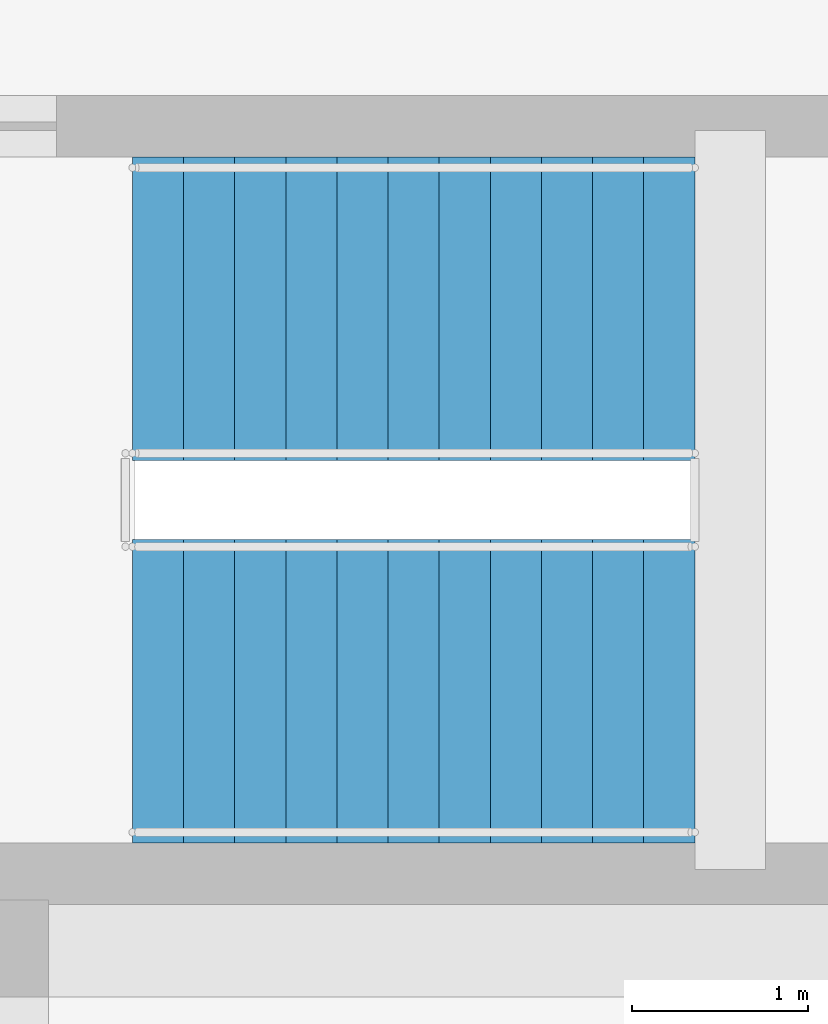
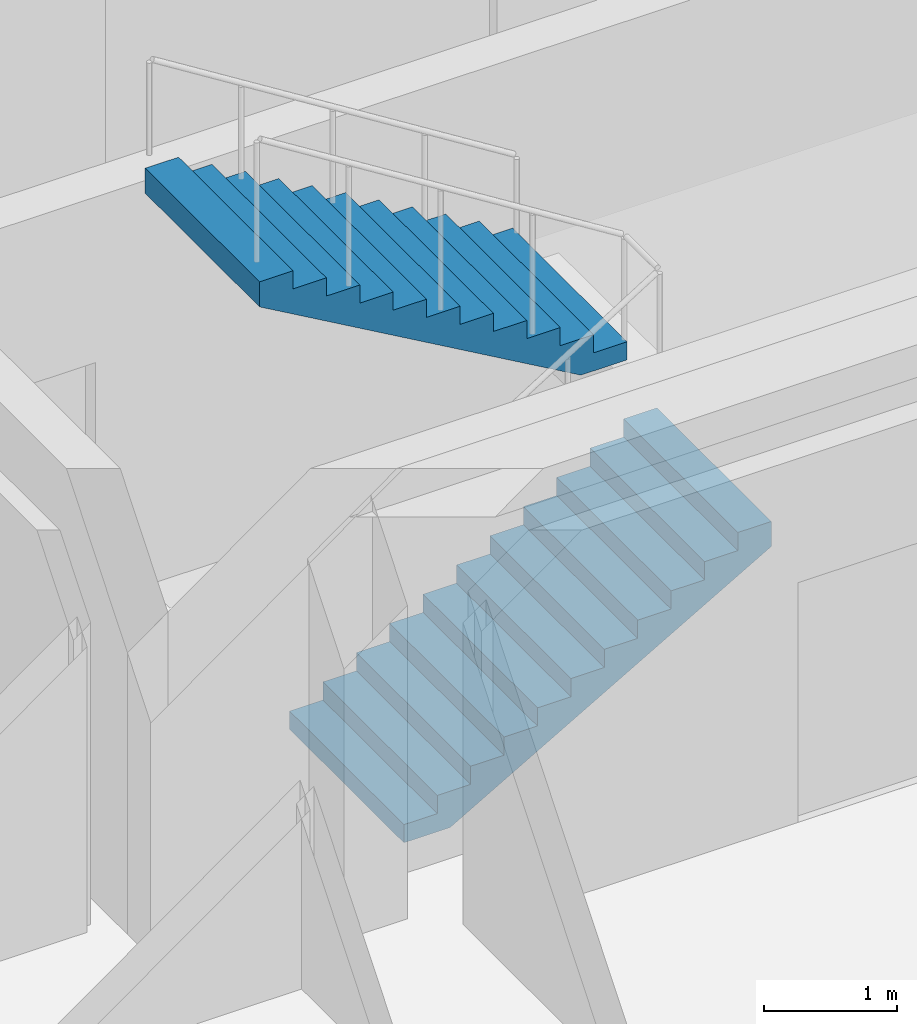
# One storey, part 21 of 22: 2 stair flights, 1 element without a shape of its own.
"""IFC4 building model written with IfcOpenShell, lengths in metres."""

from ifc_helpers import new_model, si_unit, direction, frame, origin, place, context, subcontext, project, spatial, polyline, outline, extrude, material, layer, layer_set, type_object, element, aggregate, save


model = new_model("IFC4")

# Units and contexts
model_context = context("Model", 3, precision=1e-05, world=origin(), true_north=direction((0.0, 1.0)))
body_context = subcontext(model_context, "Body", "Model", "MODEL_VIEW")
ifc_project = project(units=[si_unit("LENGTHUNIT", "METRE"), si_unit("AREAUNIT", "SQUARE_METRE"), si_unit("VOLUMEUNIT", "CUBIC_METRE"), si_unit("PLANEANGLEUNIT", "RADIAN"), si_unit("MASSUNIT", "GRAM", prefix="KILO")], contexts=[model_context])

# Site, building, storey
site_placement = place(None, origin())
site = spatial("IfcSite", under=ifc_project, at=site_placement, CompositionType="ELEMENT")
building_placement = place(site_placement, origin())
building = spatial("IfcBuilding", under=site, at=building_placement, Name="Almacenes y Pasaje Nevantli", CompositionType="ELEMENT")
storey_placement = place(building_placement, frame((0.0, 0.0, 58.699951171875)))
storey = spatial("IfcBuildingStorey", under=building, at=storey_placement, Name="L14", CompositionType="ELEMENT", Elevation=58.699951171875)

# Stair, stair flights
ifc_material_1 = material(Name="Concrete C35/45", Category="concrete")
stair_type = type_object("IfcStairType", Name="STR-CORE-1720", PredefinedType="HALF_TURN_STAIR", material=ifc_material_1)
stair_placement = place(storey_placement, origin())
stair = element("IfcStair", 1, at=stair_placement, inside=storey, type_object=stair_type, Name="L14 Staircase ST-02", PredefinedType="HALF_TURN_STAIR")
ifc_material_2 = material(Name="Concrete C35/45", Category="concrete")
ifc_layer = layer(ifc_material_2, 0.199951171875)
ifc_layer_set = layer_set([ifc_layer], Name="Concrete C35/45")
stair_flight_type = type_object("IfcStairFlightType", Name="SFL-RC-200", PredefinedType="STRAIGHT", material=ifc_layer_set)
stair_flight_1_placement = place(storey_placement, frame((135.14990234375, 85.4599609375, 0.0), z_axis=(0.0, 0.0, 1.0), x_axis=(1.0, 0.0, 0.0)))
stair_flight_1 = element("IfcStairFlight", 2, at=stair_flight_1_placement, type_object=stair_flight_type, Name="ST-02-L14 flight 1", NumberOfRisers=12, NumberOfTreads=11, PredefinedType="STRAIGHT", RiserHeight=0.166667, TreadLength=0.29, context=body_context, shape_type="SweptSolid", body=[
    extrude(outline(polyline([(0.0, 0.0), (0.0, 0.166748046875), (0.2900390625, 0.166748046875), (0.2900390625, 0.333251953125), (0.580078125, 0.333251953125), (0.580078125, 0.5), (0.8701171875, 0.5), (0.8701171875, 0.666748046875), (1.159912109375, 0.666748046875), (1.159912109375, 0.833251953125), (1.449951171875, 0.833251953125), (1.449951171875, 1.0), (1.739990234375, 1.0), (1.739990234375, 1.166748046875), (2.030029296875, 1.166748046875), (2.030029296875, 1.333251953125), (2.320068359375, 1.333251953125), (2.320068359375, 1.5), (2.610107421875, 1.5), (2.610107421875, 1.666748046875), (2.89990234375, 1.666748046875), (2.89990234375, 1.833251953125), (3.18994140625, 1.833251953125), (3.18994140625, 2.0), (3.18994140625, 1.602783203125), (0.4013671875, 0.0), (0.0, 0.0)])), frame((0.0, 0.85986328125, 0.0), z_axis=(0.0, -1.0, 0.0), x_axis=(1.0, 0.0, 0.0)), (0.0, 0.0, 1.0), 1.719970703125),
])
stair_flight_2_placement = place(storey_placement, frame((138.340087890625, 87.6298828125, 2.0), z_axis=(0.0, 0.0, 1.0), x_axis=(-1.0, 0.0, 0.0)))
stair_flight_2 = element("IfcStairFlight", 3, at=stair_flight_2_placement, type_object=stair_flight_type, Name="ST-02-L14 flight 2", NumberOfRisers=12, NumberOfTreads=11, PredefinedType="STRAIGHT", RiserHeight=0.166667, TreadLength=0.29, context=body_context, shape_type="SweptSolid", body=[
    extrude(outline(polyline([(0.0, 0.0), (0.0, 0.166748046875), (0.2900390625, 0.166748046875), (0.2900390625, 0.333251953125), (0.580078125, 0.333251953125), (0.580078125, 0.5), (0.8701171875, 0.5), (0.8701171875, 0.666748046875), (1.159912109375, 0.666748046875), (1.159912109375, 0.833251953125), (1.449951171875, 0.833251953125), (1.449951171875, 1.0), (1.739990234375, 1.0), (1.739990234375, 1.166748046875), (2.030029296875, 1.166748046875), (2.030029296875, 1.333251953125), (2.320068359375, 1.333251953125), (2.320068359375, 1.5), (2.610107421875, 1.5), (2.610107421875, 1.666748046875), (2.89990234375, 1.666748046875), (2.89990234375, 1.833251953125), (3.18994140625, 1.833251953125), (3.18994140625, 2.0), (3.18994140625, 1.602783203125), (0.4013671875, 0.0), (0.0, 0.0)])), frame((0.0, 0.85986328125, 0.0), z_axis=(0.0, -1.0, 0.0), x_axis=(1.0, 0.0, 0.0)), (0.0, 0.0, 1.0), 1.719970703125),
])
aggregate(stair, [stair_flight_1, stair_flight_2])

save(model, "model.ifc")
